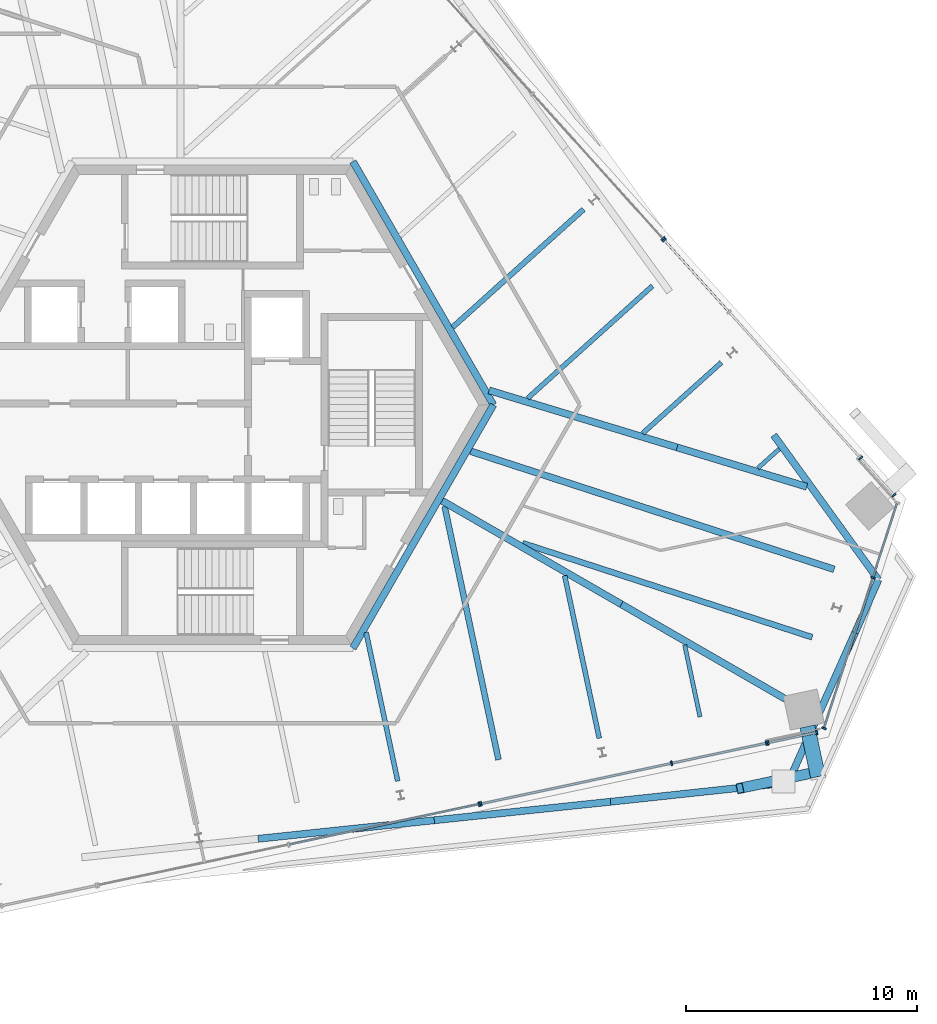
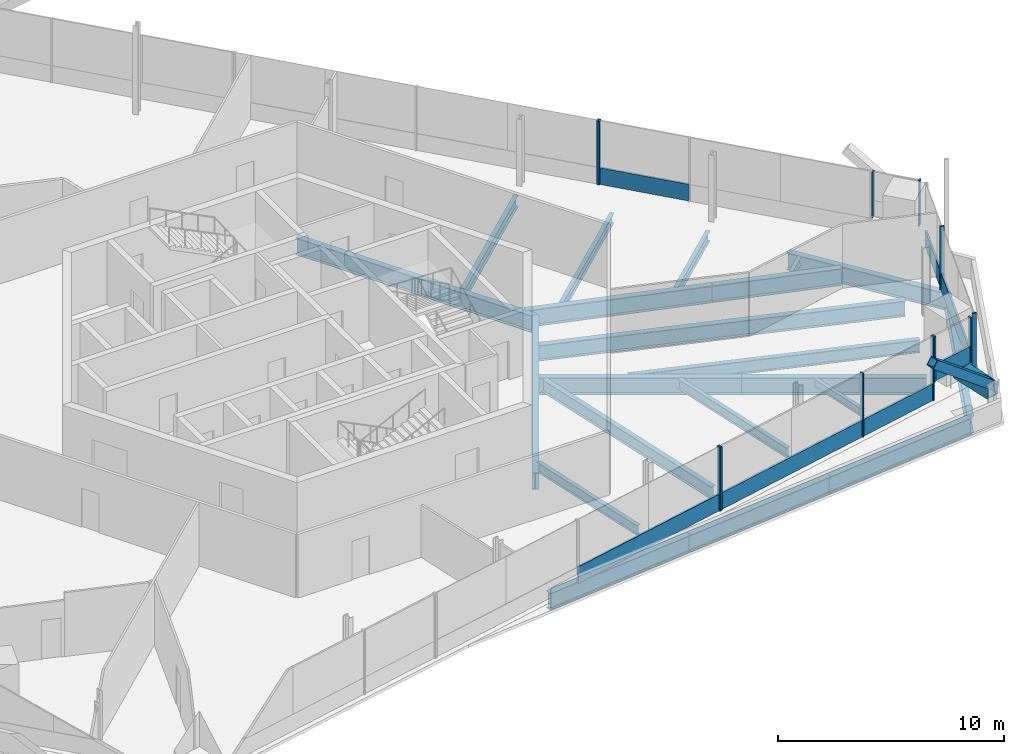
# One storey, part 6 of 20: 22 beams, 21 members, 7 elements without a shape of their own.
"""IFC4 building model written with IfcOpenShell, lengths in metres."""

from ifc_helpers import new_model, si_unit, direction, frame, origin, origin_2d, place, context, subcontext, project, spatial, rectangle, hollow_rectangle, i_section, extrude, source, transform, mapped, material, material_profile, profile_set, type_object, element, aggregate, save


model = new_model("IFC4")

# Units and contexts
model_context = context("Model", 3, precision=1e-05, world=origin(), true_north=direction((0.0, 1.0)))
body_context = subcontext(model_context, "Body", "Model", "MODEL_VIEW")
ifc_project = project(units=[si_unit("LENGTHUNIT", "METRE"), si_unit("AREAUNIT", "SQUARE_METRE"), si_unit("VOLUMEUNIT", "CUBIC_METRE"), si_unit("PLANEANGLEUNIT", "RADIAN"), si_unit("MASSUNIT", "GRAM", prefix="KILO")], contexts=[model_context])

# Site, building, storey
site_placement = place(None, origin())
site = spatial("IfcSite", under=ifc_project, at=site_placement, CompositionType="ELEMENT")
building_placement = place(site_placement, origin())
building = spatial("IfcBuilding", under=site, at=building_placement, Name="Triune Harvest Tower", CompositionType="ELEMENT")
storey_placement = place(building_placement, frame((0.0, 0.0, 259.5)))
storey = spatial("IfcBuildingStorey", under=building, at=storey_placement, Name="L68", CompositionType="ELEMENT", Elevation=259.5)

# Beams
ifc_material_1 = material(Name="Steel ASTM A992 Gr 50", Category="steel")
ifc_material_profile_1 = material_profile(ifc_material_1, i_section(OverallWidth=0.3046875, OverallDepth=0.914306640625, WebThickness=0.0166015625, FlangeThickness=0.02587890625, at=origin_2d()), Name="W36x160")
ifc_profile_set_1 = profile_set([ifc_material_profile_1], Name="Steel ASTM A992 Gr 50")
beam_type_1 = type_object("IfcBeamType", Name="HG-3 Hip girder W36x160", PredefinedType="BEAM", material=ifc_profile_set_1)
beam_1_placement = place(storey_placement, frame((25.75439453125, -3.548095703125, -0.6171875), z_axis=(-0.956937302141, 0.290294677477, 0.0), x_axis=(-0.290294677477, -0.956937302141, 0.0)))
element("IfcBeam", 1, at=beam_1_placement, inside=storey, type_object=beam_type_1, Name="beam/L68/HG1", PredefinedType="BEAM", context=body_context, shape_type="SweptSolid", body=[
    extrude(i_section(OverallWidth=0.3046875, OverallDepth=0.914306640625, WebThickness=0.0166015625, FlangeThickness=0.02587890625, at=origin_2d()), origin(), (0.0, 0.0, 1.0), 5.872802734375),
])
beam_2_placement = place(storey_placement, frame((24.816650390625, -12.738037109375, -0.6171875), z_axis=(-0.866031720291, 0.49998905933, 0.0), x_axis=(-0.49998905933, -0.866031720291, 0.0)))
element("IfcBeam", 2, at=beam_2_placement, inside=storey, type_object=beam_type_1, Name="beam/L68/HG13", PredefinedType="BEAM", context=body_context, shape_type="SweptSolid", body=[
    extrude(i_section(OverallWidth=0.3046875, OverallDepth=0.914306640625, WebThickness=0.0166015625, FlangeThickness=0.02587890625, at=origin_2d()), origin(), (0.0, 0.0, 1.0), 8.191162109375),
])
ifc_material_2 = material(Name="Steel ASTM A992 Gr 50", Category="steel")
ifc_material_profile_2 = material_profile(ifc_material_2, i_section(OverallWidth=0.2099609375, OverallDepth=0.535888671875, WebThickness=0.010986328125, FlangeThickness=0.017333984375, at=origin_2d()), Name="W21x68")
ifc_profile_set_2 = profile_set([ifc_material_profile_2], Name="Steel ASTM A992 Gr 50")
beam_type_2 = type_object("IfcBeamType", Name="JT-2 Floor joist W21x68", PredefinedType="JOIST", material=ifc_profile_set_2)
beam_3_placement = place(storey_placement, frame((19.067626953125, 5.15478515625, -0.427978515625), z_axis=(-0.743132430141, -0.669144372518, 0.0), x_axis=(0.669144372518, -0.743132430141, 0.0)))
element("IfcBeam", 3, at=beam_3_placement, inside=storey, type_object=beam_type_2, Name="beam/L68/JT3", PredefinedType="JOIST", context=body_context, shape_type="SweptSolid", body=[
    extrude(i_section(OverallWidth=0.2099609375, OverallDepth=0.535888671875, WebThickness=0.010986328125, FlangeThickness=0.017333984375, at=origin_2d()), origin(), (0.0, 0.0, 1.0), 7.282470703125),
])
ifc_material_3 = material(Name="Steel ASTM A992 Gr 50", Category="steel")
ifc_material_profile_3 = material_profile(ifc_material_3, i_section(OverallWidth=0.22900390625, OverallDepth=0.612060546875, WebThickness=0.011962890625, FlangeThickness=0.01953125, at=origin_2d()), Name="W24x84")
ifc_profile_set_3 = profile_set([ifc_material_profile_3], Name="Steel ASTM A992 Gr 50")
beam_type_3 = type_object("IfcBeamType", Name="JT-3 Floor joist W24x84", PredefinedType="JOIST", material=ifc_profile_set_3)
beam_4_placement = place(storey_placement, frame((16.080810546875, 8.47216796875, -0.466064453125), z_axis=(-0.743147796111, -0.669127307121, 0.0), x_axis=(0.669127307121, -0.743147796111, 0.0)))
element("IfcBeam", 4, at=beam_4_placement, inside=storey, type_object=beam_type_3, Name="beam/L68/JT4", PredefinedType="JOIST", context=body_context, shape_type="SweptSolid", body=[
    extrude(i_section(OverallWidth=0.22900390625, OverallDepth=0.612060546875, WebThickness=0.011962890625, FlangeThickness=0.01953125, at=origin_2d()), origin(), (0.0, 0.0, 1.0), 7.63232421875),
])
ifc_material_4 = material(Name="Steel ASTM A992 Gr 50", Category="steel")
ifc_material_profile_4 = material_profile(ifc_material_4, i_section(OverallWidth=0.253662109375, OverallDepth=0.683349609375, WebThickness=0.012451171875, FlangeThickness=0.01904296875, at=origin_2d()), Name="W27x94")
ifc_profile_set_4 = profile_set([ifc_material_profile_4], Name="Steel ASTM A992 Gr 50")
beam_type_4 = type_object("IfcBeamType", Name="JT-4 Floor joist W27x94", PredefinedType="JOIST", material=ifc_profile_set_4)
beam_5_placement = place(storey_placement, frame((25.987060546875, -10.06982421875, -0.501708984375), z_axis=(-0.951059355969, 0.309008254621, 0.0), x_axis=(-0.309008254621, -0.951059355969, 0.0)))
element("IfcBeam", 5, at=beam_5_placement, inside=storey, type_object=beam_type_4, Name="beam/L68/JT32", PredefinedType="JOIST", context=body_context, shape_type="SweptSolid", body=[
    extrude(i_section(OverallWidth=0.253662109375, OverallDepth=0.683349609375, WebThickness=0.012451171875, FlangeThickness=0.01904296875, at=origin_2d()), origin(), (0.0, 0.0, 1.0), 13.195068359375),
])
ifc_material_5 = material(Name="Steel ASTM A992 Gr 50", Category="steel")
ifc_material_profile_5 = material_profile(ifc_material_5, i_section(OverallWidth=0.3046875, OverallDepth=0.914306640625, WebThickness=0.0166015625, FlangeThickness=0.02587890625, at=origin_2d()), Name="W36x160")
ifc_profile_set_5 = profile_set([ifc_material_profile_5], Name="Steel ASTM A992 Gr 50")
beam_type_5 = type_object("IfcBeamType", Name="SB-1 Spandrel beam W36x160", PredefinedType="SPANDREL", material=ifc_profile_set_5)
beam_6_placement = place(storey_placement, frame((24.946533203125, -16.373779296875, -0.6171875), z_axis=(0.40781645435, 0.913063929614, 0.0), x_axis=(-0.913063929614, 0.40781645435, 0.0)))
element("IfcBeam", 6, at=beam_6_placement, inside=storey, type_object=beam_type_5, Name="beam/L68/WB20", PredefinedType="SPANDREL", context=body_context, shape_type="SweptSolid", body=[
    extrude(i_section(OverallWidth=0.3046875, OverallDepth=0.914306640625, WebThickness=0.0166015625, FlangeThickness=0.02587890625, at=origin_2d()), origin(), (0.0, 0.0, 1.0), 7.111328125),
])
beam_7_placement = place(storey_placement, frame((27.8466796875, -9.880615234375, -0.6171875), z_axis=(0.403656957241, 0.914910411391, 0.0), x_axis=(-0.914910411391, 0.403656957241, 0.0)))
element("IfcBeam", 7, at=beam_7_placement, inside=storey, type_object=beam_type_5, Name="beam/L68/WB21", PredefinedType="SPANDREL", context=body_context, shape_type="SweptSolid", body=[
    extrude(i_section(OverallWidth=0.3046875, OverallDepth=0.914306640625, WebThickness=0.0166015625, FlangeThickness=0.02587890625, at=origin_2d()), origin(), (0.0, 0.0, 1.0), 2.51171875),
])

# Curtain wall, member
ifc_material_6 = material(Name="Aluminium bronze anodised", Category="aluminium")
curtain_wall_type_1 = type_object("IfcCurtainWallType", Name="CW-7 Tower stick curtain wall with insulated spandrel infill", PredefinedType="NOTDEFINED", material=ifc_material_6)
curtain_wall_1_placement = place(storey_placement, origin())
curtain_wall_1 = element("IfcCurtainWall", 8, at=curtain_wall_1_placement, inside=storey, type_object=curtain_wall_type_1, Name="CW-7 B7-F5 L68 run 201")
ifc_material_7 = material(Name="Aluminium bronze anodised", Category="aluminium")
ifc_material_profile_6 = material_profile(ifc_material_7, rectangle(XDim=0.090087890625, YDim=0.89990234375, at=origin_2d()), Name="TR-1 transom 90 x 900")
ifc_profile_set_6 = profile_set([ifc_material_profile_6], Name="Aluminium bronze anodised")
member_type_1 = type_object("IfcMemberType", Name="TR-1 transom 90 x 900", PredefinedType="USERDEFINED", material=ifc_profile_set_6)
member_1_placement = place(storey_placement, frame((24.11767578125, -14.635498046875, 1.43505859375), z_axis=(0.978132324204, 0.207983548261, 0.0), x_axis=(-0.207983548261, 0.978132324204, 0.0)))
member_1 = element("IfcMember", 9, at=member_1_placement, type_object=member_type_1, Name="CW-7 transom B7-F5 201.1", ObjectType="TRANSOM", PredefinedType="USERDEFINED", context=body_context, shape_type="SweptSolid", body=[
    extrude(rectangle(XDim=0.090087890625, YDim=0.89990234375, at=origin_2d()), origin(), (0.0, 0.0, 1.0), 2.08251953125),
])

# Beams
ifc_material_8 = material(Name="Steel ASTM A992 Gr 50", Category="steel")
ifc_material_profile_7 = material_profile(ifc_material_8, i_section(OverallWidth=0.3046875, OverallDepth=0.914306640625, WebThickness=0.0166015625, FlangeThickness=0.02587890625, at=origin_2d()), Name="W36x160")
ifc_profile_set_7 = profile_set([ifc_material_profile_7], Name="Steel ASTM A992 Gr 50")
beam_type_6 = type_object("IfcBeamType", Name="CG-1 Core ring girder W36x160", PredefinedType="BEAM", material=ifc_profile_set_7)
shared_shape_1 = source(origin(), body_context, "Body", "SweptSolid", [
    extrude(i_section(OverallWidth=0.3046875, OverallDepth=0.914306640625, WebThickness=0.0166015625, FlangeThickness=0.02587890625, at=origin_2d()), origin(), (0.0, 0.0, 1.0), 12.176025390625),
])
for number, where, z_axis, x_axis, name in (
    (10, (12.176025390625, 0.0, -0.6171875), (-0.5000099932, 0.866019634131, 0.0), (-0.866019634131, -0.5000099932, 0.0), "beam/L68/CG1"),
    (11, (6.087890625, -10.544677734375, -0.6171875), (0.5000099932, 0.866019634131, 0.0), (-0.866019634131, 0.5000099932, 0.0), "beam/L68/CG6"),
):
    element("IfcBeam", number, at=place(storey_placement, frame(where, z_axis=z_axis, x_axis=x_axis)), inside=storey, type_object=beam_type_6, Name=name, PredefinedType="BEAM", context=body_context, shape_type="MappedRepresentation", body=[
        mapped(shared_shape_1, transform((0.0, 0.0, 0.0), scale=1.0)),
    ])
shared_shape_2 = source(origin(), body_context, "Body", "SweptSolid", [
    extrude(i_section(OverallWidth=0.3046875, OverallDepth=0.914306640625, WebThickness=0.0166015625, FlangeThickness=0.02587890625, at=origin_2d()), origin(), (0.0, 0.0, 1.0), 7.7392578125),
])
beam_8_placement = place(storey_placement, frame((28.860595703125, -7.58251953125, -0.6171875), z_axis=(-0.586085859252, 0.810248952844, 0.0), x_axis=(-0.810248952844, -0.586085859252, 0.0)))
element("IfcBeam", 12, at=beam_8_placement, inside=storey, type_object=beam_type_5, Name="beam/L68/WB1", PredefinedType="SPANDREL", context=body_context, shape_type="MappedRepresentation", body=[
    mapped(shared_shape_2, transform((0.0, 0.0, 0.0), scale=1.0)),
])
shared_shape_3 = source(origin(), body_context, "Body", "SweptSolid", [
    extrude(i_section(OverallWidth=0.3046875, OverallDepth=0.914306640625, WebThickness=0.0166015625, FlangeThickness=0.02587890625, at=origin_2d()), origin(), (0.0, 0.0, 1.0), 7.679443359375),
])
for number, where, z_axis, x_axis, name in (
    (13, (1.976318359375, -18.80419921875, -0.6171875), (0.994525119774, 0.104497780542, 0.0), (-0.104497780542, 0.994525119774, 0.0), "beam/L68/WB17"),
    (14, (9.61376953125, -18.001708984375, -0.6171875), (0.99451850998, 0.104560668073, 0.0), (-0.104560668073, 0.99451850998, 0.0), "beam/L68/WB18"),
):
    element("IfcBeam", number, at=place(storey_placement, frame(where, z_axis=z_axis, x_axis=x_axis)), inside=storey, type_object=beam_type_5, Name=name, PredefinedType="SPANDREL", context=body_context, shape_type="MappedRepresentation", body=[
        mapped(shared_shape_3, transform((0.0, 0.0, 0.0), scale=1.0)),
    ])
shared_shape_4 = source(origin(), body_context, "Body", "SweptSolid", [
    extrude(i_section(OverallWidth=0.3046875, OverallDepth=0.914306640625, WebThickness=0.0166015625, FlangeThickness=0.02587890625, at=origin_2d()), origin(), (0.0, 0.0, 1.0), 7.739501953125),
])
beam_9_placement = place(storey_placement, frame((17.251220703125, -17.19873046875, -0.6171875), z_axis=(0.994302946631, 0.106591042407, 0.0), x_axis=(-0.106591042407, 0.994302946631, 0.0)))
element("IfcBeam", 15, at=beam_9_placement, inside=storey, type_object=beam_type_5, Name="beam/L68/WB19", PredefinedType="SPANDREL", context=body_context, shape_type="MappedRepresentation", body=[
    mapped(shared_shape_4, transform((0.0, 0.0, 0.0), scale=1.0)),
])
shared_shape_5 = source(origin(), body_context, "Body", "SweptSolid", [
    extrude(i_section(OverallWidth=0.3046875, OverallDepth=0.914306640625, WebThickness=0.0166015625, FlangeThickness=0.02587890625, at=origin_2d()), origin(), (0.0, 0.0, 1.0), 8.51171875),
])
beam_10_placement = place(storey_placement, frame((20.134521484375, -1.84326171875, -0.6171875), z_axis=(-0.956918438295, 0.290356853632, 0.0), x_axis=(-0.290356853632, -0.956918438295, 0.0)))
element("IfcBeam", 16, at=beam_10_placement, inside=storey, type_object=beam_type_1, Name="beam/L68/HG2", PredefinedType="BEAM", context=body_context, shape_type="MappedRepresentation", body=[
    mapped(shared_shape_5, transform((0.0, 0.0, 0.0), scale=1.0)),
])
shared_shape_6 = source(origin(), body_context, "Body", "SweptSolid", [
    extrude(i_section(OverallWidth=0.3046875, OverallDepth=0.914306640625, WebThickness=0.0166015625, FlangeThickness=0.02587890625, at=origin_2d()), origin(), (0.0, 0.0, 1.0), 8.97265625),
])
beam_11_placement = place(storey_placement, frame((17.722900390625, -8.642333984375, -0.6171875), z_axis=(-0.866024277037, 0.500001951578, 0.0), x_axis=(-0.500001951578, -0.866024277037, 0.0)))
element("IfcBeam", 17, at=beam_11_placement, inside=storey, type_object=beam_type_1, Name="beam/L68/HG14", PredefinedType="BEAM", context=body_context, shape_type="MappedRepresentation", body=[
    mapped(shared_shape_6, transform((0.0, 0.0, 0.0), scale=1.0)),
])
ifc_material_9 = material(Name="Steel ASTM A992 Gr 50", Category="steel")
ifc_material_profile_8 = material_profile(ifc_material_9, i_section(OverallWidth=0.180908203125, OverallDepth=0.41650390625, WebThickness=0.010986328125, FlangeThickness=0.01806640625, at=origin_2d()), Name="W16x57")
ifc_profile_set_8 = profile_set([ifc_material_profile_8], Name="Steel ASTM A992 Gr 50")
beam_type_7 = type_object("IfcBeamType", Name="JT-1 Floor joist W16x57", PredefinedType="JOIST", material=ifc_profile_set_8)
shared_shape_7 = source(origin(), body_context, "Body", "SweptSolid", [
    extrude(i_section(OverallWidth=0.180908203125, OverallDepth=0.41650390625, WebThickness=0.010986328125, FlangeThickness=0.01806640625, at=origin_2d()), origin(), (0.0, 0.0, 1.0), 1.253662109375),
])
beam_12_placement = place(storey_placement, frame((24.567138671875, -1.9072265625, -0.368408203125), z_axis=(-0.743139192675, -0.669136862167, 0.0), x_axis=(0.669136862167, -0.743139192675, 0.0)))
element("IfcBeam", 18, at=beam_12_placement, inside=storey, type_object=beam_type_7, Name="beam/L68/JT1", PredefinedType="JOIST", context=body_context, shape_type="MappedRepresentation", body=[
    mapped(shared_shape_7, transform((0.0, 0.0, 0.0), scale=1.0)),
])
shared_shape_8 = source(origin(), body_context, "Body", "SweptSolid", [
    extrude(i_section(OverallWidth=0.2099609375, OverallDepth=0.535888671875, WebThickness=0.010986328125, FlangeThickness=0.017333984375, at=origin_2d()), origin(), (0.0, 0.0, 1.0), 4.58740234375),
])
beam_13_placement = place(storey_placement, frame((22.0546875, 1.83740234375, -0.427978515625), z_axis=(-0.743151231649, -0.669123491516, 0.0), x_axis=(0.669123491516, -0.743151231649, 0.0)))
element("IfcBeam", 19, at=beam_13_placement, inside=storey, type_object=beam_type_2, Name="beam/L68/JT2", PredefinedType="JOIST", context=body_context, shape_type="MappedRepresentation", body=[
    mapped(shared_shape_8, transform((0.0, 0.0, 0.0), scale=1.0)),
])
shared_shape_9 = source(origin(), body_context, "Body", "SweptSolid", [
    extrude(i_section(OverallWidth=0.2099609375, OverallDepth=0.535888671875, WebThickness=0.010986328125, FlangeThickness=0.017333984375, at=origin_2d()), origin(), (0.0, 0.0, 1.0), 6.590576171875),
])
beam_14_placement = place(storey_placement, frame((8.02978515625, -16.30615234375, -0.427978515625), z_axis=(-0.207927426917, 0.97814425579, 0.0), x_axis=(-0.97814425579, -0.207927426917, 0.0)))
element("IfcBeam", 20, at=beam_14_placement, inside=storey, type_object=beam_type_2, Name="beam/L68/JT28", PredefinedType="JOIST", context=body_context, shape_type="MappedRepresentation", body=[
    mapped(shared_shape_9, transform((0.0, 0.0, 0.0), scale=1.0)),
])
shared_shape_10 = source(origin(), body_context, "Body", "SweptSolid", [
    extrude(i_section(OverallWidth=0.253662109375, OverallDepth=0.683349609375, WebThickness=0.012451171875, FlangeThickness=0.01904296875, at=origin_2d()), origin(), (0.0, 0.0, 1.0), 11.22802734375),
])
beam_15_placement = place(storey_placement, frame((12.396240234375, -15.3779296875, -0.501708984375), z_axis=(-0.207914667302, 0.978146968058, 0.0), x_axis=(-0.978146968058, -0.207914667302, 0.0)))
element("IfcBeam", 21, at=beam_15_placement, inside=storey, type_object=beam_type_4, Name="beam/L68/JT29", PredefinedType="JOIST", context=body_context, shape_type="MappedRepresentation", body=[
    mapped(shared_shape_10, transform((0.0, 0.0, 0.0), scale=1.0)),
])
shared_shape_11 = source(origin(), body_context, "Body", "SweptSolid", [
    extrude(i_section(OverallWidth=0.2099609375, OverallDepth=0.535888671875, WebThickness=0.010986328125, FlangeThickness=0.017333984375, at=origin_2d()), origin(), (0.0, 0.0, 1.0), 7.208740234375),
])
beam_16_placement = place(storey_placement, frame((16.7626953125, -14.449951171875, -0.427978515625), z_axis=(-0.207909791539, 0.978148004436, 0.0), x_axis=(-0.978148004436, -0.207909791539, 0.0)))
element("IfcBeam", 22, at=beam_16_placement, inside=storey, type_object=beam_type_2, Name="beam/L68/JT30", PredefinedType="JOIST", context=body_context, shape_type="MappedRepresentation", body=[
    mapped(shared_shape_11, transform((0.0, 0.0, 0.0), scale=1.0)),
])
shared_shape_12 = source(origin(), body_context, "Body", "SweptSolid", [
    extrude(i_section(OverallWidth=0.180908203125, OverallDepth=0.41650390625, WebThickness=0.010986328125, FlangeThickness=0.01806640625, at=origin_2d()), origin(), (0.0, 0.0, 1.0), 3.189208984375),
])
beam_17_placement = place(storey_placement, frame((21.129150390625, -13.521728515625, -0.368408203125), z_axis=(-0.207908193953, 0.978148344009, 0.0), x_axis=(-0.978148344009, -0.207908193953, 0.0)))
element("IfcBeam", 23, at=beam_17_placement, inside=storey, type_object=beam_type_7, Name="beam/L68/JT31", PredefinedType="JOIST", context=body_context, shape_type="MappedRepresentation", body=[
    mapped(shared_shape_12, transform((0.0, 0.0, 0.0), scale=1.0)),
])
ifc_material_10 = material(Name="Steel ASTM A992 Gr 50", Category="steel")
ifc_material_profile_9 = material_profile(ifc_material_10, i_section(OverallWidth=0.2919921875, OverallDepth=0.8408203125, WebThickness=0.0146484375, FlangeThickness=0.021728515625, at=origin_2d()), Name="W33x130")
ifc_profile_set_9 = profile_set([ifc_material_profile_9], Name="Steel ASTM A992 Gr 50")
beam_type_8 = type_object("IfcBeamType", Name="JT-6 Floor joist W33x130", PredefinedType="JOIST", material=ifc_profile_set_9)
shared_shape_13 = source(origin(), body_context, "Body", "SweptSolid", [
    extrude(i_section(OverallWidth=0.2919921875, OverallDepth=0.8408203125, WebThickness=0.0146484375, FlangeThickness=0.021728515625, at=origin_2d()), origin(), (0.0, 0.0, 1.0), 16.56201171875),
])
beam_18_placement = place(storey_placement, frame((26.94287109375, -7.1279296875, -0.580322265625), z_axis=(-0.951057248278, 0.309014741555, 0.0), x_axis=(-0.309014741555, -0.951057248278, 0.0)))
element("IfcBeam", 24, at=beam_18_placement, inside=storey, type_object=beam_type_8, Name="beam/L68/JT33", PredefinedType="JOIST", context=body_context, shape_type="MappedRepresentation", body=[
    mapped(shared_shape_13, transform((0.0, 0.0, 0.0), scale=1.0)),
])

# Members
ifc_material_11 = material(Name="Steel ASTM A572 Gr 50", Category="steel")
ifc_material_profile_10 = material_profile(ifc_material_11, hollow_rectangle(XDim=0.64990234375, YDim=0.64990234375, WallThickness=0.070068359375, at=origin_2d()), Name="Box 650x650x70")
ifc_profile_set_10 = profile_set([ifc_material_profile_10], Name="Steel ASTM A572 Gr 50")
member_type_2 = type_object("IfcMemberType", Name="BS-1 Brace stub Box 650x650x70", PredefinedType="STRUT", material=ifc_profile_set_10)
shared_shape_14 = source(origin(), body_context, "Body", "SweptSolid", [
    extrude(hollow_rectangle(XDim=0.64990234375, YDim=0.64990234375, WallThickness=0.070068359375, at=origin_2d()), origin(), (0.0, 0.0, 1.0), 2.222900390625),
])
member_2_placement = place(storey_placement, frame((25.781494140625, -13.938720703125, 0.60009765625), z_axis=(0.207908670929, -0.978148242626, 0.0), x_axis=(0.978148242626, 0.207908670929, 0.0)))
element("IfcMember", 25, at=member_2_placement, inside=storey, type_object=member_type_2, Name="brace/B7-F5/stub3", PredefinedType="STRUT", context=body_context, shape_type="MappedRepresentation", body=[
    mapped(shared_shape_14, transform((0.0, 0.0, 0.0), scale=1.0)),
])
ifc_material_12 = material(Name="Steel ASTM A572 Gr 50", Category="steel")
ifc_material_profile_11 = material_profile(ifc_material_12, hollow_rectangle(XDim=0.449951171875, YDim=0.449951171875, WallThickness=0.02490234375, at=origin_2d()), Name="Box 450x450x25")
ifc_profile_set_11 = profile_set([ifc_material_profile_11], Name="Steel ASTM A572 Gr 50")
member_type_3 = type_object("IfcMemberType", Name="BR-4 Brace Box 450x450x25", PredefinedType="BRACE", material=ifc_profile_set_11)
shared_shape_15 = source(origin(), body_context, "Body", "SweptSolid", [
    extrude(hollow_rectangle(XDim=0.449951171875, YDim=0.449951171875, WallThickness=0.02490234375, at=origin_2d()), origin(), (0.0, 0.0, 1.0), 4.358154296875),
])
member_3_placement = place(storey_placement, frame((26.199462890625, -15.9052734375, 0.889892578125), z_axis=(-0.766003990971, -0.162847272324, 0.621867069166), x_axis=(0.207946018877, -0.97814030345, 0.0)))
element("IfcMember", 26, at=member_3_placement, inside=storey, type_object=member_type_3, Name="brace/B7-F5/d2/1", PredefinedType="BRACE", context=body_context, shape_type="MappedRepresentation", body=[
    mapped(shared_shape_15, transform((0.0, 0.0, 0.0), scale=1.0)),
])

# Curtain wall, members
curtain_wall_2_placement = place(storey_placement, origin())
curtain_wall_2 = element("IfcCurtainWall", 27, at=curtain_wall_2_placement, inside=storey, type_object=curtain_wall_type_1, Name="CW-7 B7-F1 L68 run 1")
ifc_material_13 = material(Name="Aluminium bronze anodised", Category="aluminium")
ifc_material_profile_12 = material_profile(ifc_material_13, rectangle(XDim=0.199951171875, YDim=0.074951171875, at=origin_2d()), Name="MU-1 mullion 75 x 200")
ifc_profile_set_12 = profile_set([ifc_material_profile_12], Name="Aluminium bronze anodised")
member_type_4 = type_object("IfcMemberType", Name="MU-1 mullion 75 x 200", PredefinedType="MULLION", material=ifc_profile_set_12)
shared_shape_16 = source(origin(), body_context, "Body", "SweptSolid", [
    extrude(rectangle(XDim=0.199951171875, YDim=0.074951171875, at=origin_2d()), origin(), (0.0, 0.0, 1.0), 2.454833984375),
])
member_4_placement = place(storey_placement, frame((29.53271484375, -3.9111328125, 0.985107421875), z_axis=(0.0, 0.0, 1.0), x_axis=(-0.74313821204, -0.669137951252, 0.0)))
member_4 = element("IfcMember", 28, at=member_4_placement, type_object=member_type_4, Name="CW-7 mullion B7-F1 1.1", PredefinedType="MULLION", context=body_context, shape_type="MappedRepresentation", body=[
    mapped(shared_shape_16, transform((0.0, 0.0, 0.0), scale=1.0)),
])
member_5_placement = place(storey_placement, frame((28.089111328125, -2.307861328125, 0.985107421875), z_axis=(0.0, 0.0, 1.0), x_axis=(-0.74313821204, -0.669137951252, 0.0)))
member_5 = element("IfcMember", 29, at=member_5_placement, type_object=member_type_4, Name="CW-7 mullion B7-F1 1.2", PredefinedType="MULLION", context=body_context, shape_type="MappedRepresentation", body=[
    mapped(shared_shape_16, transform((0.0, 0.0, 0.0), scale=1.0)),
])
aggregate(curtain_wall_2, [member_4, member_5])

# Member
member_6_placement = place(storey_placement, frame((24.080810546875, -14.643310546875, 0.985107421875), z_axis=(0.0, 0.0, 1.0), x_axis=(-0.207895186635, 0.978151108661, 0.0)))
member_6 = element("IfcMember", 30, at=member_6_placement, type_object=member_type_4, Name="CW-7 mullion B7-F5 201.1", PredefinedType="MULLION", context=body_context, shape_type="MappedRepresentation", body=[
    mapped(shared_shape_16, transform((0.0, 0.0, 0.0), scale=1.0)),
])

member_7_placement = place(storey_placement, frame((26.191162109375, -14.194580078125, 0.985107421875), z_axis=(0.0, 0.0, 1.0), x_axis=(-0.207895186635, 0.978151108661, 0.0)))
member_7 = element("IfcMember", 31, at=member_7_placement, type_object=member_type_4, Name="CW-7 mullion B7-F5 201.2", PredefinedType="MULLION", context=body_context, shape_type="MappedRepresentation", body=[
    mapped(shared_shape_16, transform((0.0, 0.0, 0.0), scale=1.0)),
])

aggregate(curtain_wall_1, [member_6, member_7, member_1])

# Curtain wall, member
curtain_wall_3_placement = place(storey_placement, origin())
curtain_wall_3 = element("IfcCurtainWall", 32, at=curtain_wall_3_placement, inside=storey, type_object=curtain_wall_type_1, Name="CW-7 B7-F1 L68 run 101")
shared_shape_17 = source(origin(), body_context, "Body", "SweptSolid", [
    extrude(rectangle(XDim=0.199951171875, YDim=0.074951171875, at=origin_2d()), origin(), (0.0, 0.0, 1.0), 3.43994140625),
])
member_8_placement = place(storey_placement, frame((19.576171875, 7.146728515625, 0.0), z_axis=(0.0, 0.0, 1.0), x_axis=(-0.743143654341, -0.669131907035, 0.0)))
member_8 = element("IfcMember", 33, at=member_8_placement, type_object=member_type_4, Name="CW-7 mullion B7-F1 101.4", PredefinedType="MULLION", context=body_context, shape_type="MappedRepresentation", body=[
    mapped(shared_shape_17, transform((0.0, 0.0, 0.0), scale=1.0)),
])

ifc_material_14 = material(Name="Aluminium bronze anodised", Category="aluminium")
curtain_wall_type_2 = type_object("IfcCurtainWallType", Name="CW-1 Tower stick curtain wall", PredefinedType="NOTDEFINED", material=ifc_material_14)
curtain_wall_4_placement = place(storey_placement, origin())
curtain_wall_4 = element("IfcCurtainWall", 34, at=curtain_wall_4_placement, inside=storey, type_object=curtain_wall_type_2, Name="CW-1 B7-F1 L68 run 1101")
member_9_placement = place(storey_placement, frame((19.52587890625, 7.202392578125, 0.0), z_axis=(0.0, 0.0, 1.0), x_axis=(-0.743144631485, -0.669130821809, 0.0)))
member_9 = element("IfcMember", 35, at=member_9_placement, type_object=member_type_4, Name="CW-1 mullion B7-F1 1101.1", PredefinedType="MULLION", context=body_context, shape_type="MappedRepresentation", body=[
    mapped(shared_shape_17, transform((0.0, 0.0, 0.0), scale=1.0)),
])
aggregate(curtain_wall_4, [member_9])

curtain_wall_5_placement = place(storey_placement, origin())
curtain_wall_5 = element("IfcCurtainWall", 36, at=curtain_wall_5_placement, inside=storey, type_object=curtain_wall_type_2, Name="CW-1 B7-F5 L68 run 1101")
member_10_placement = place(storey_placement, frame((11.563232421875, -17.303955078125, 0.0), z_axis=(0.0, 0.0, 1.0), x_axis=(-0.20791036568, 0.9781478824, 0.0)))
member_10 = element("IfcMember", 37, at=member_10_placement, type_object=member_type_4, Name="CW-1 mullion B7-F5 1101.5", PredefinedType="MULLION", context=body_context, shape_type="MappedRepresentation", body=[
    mapped(shared_shape_17, transform((0.0, 0.0, 0.0), scale=1.0)),
])

# Curtain wall, members
curtain_wall_6_placement = place(storey_placement, origin())
curtain_wall_6 = element("IfcCurtainWall", 38, at=curtain_wall_6_placement, inside=storey, type_object=curtain_wall_type_1, Name="CW-7 B7-F5 L68 run 2101")
member_11_placement = place(storey_placement, frame((11.636474609375, -17.288330078125, 0.0), z_axis=(0.0, 0.0, 1.0), x_axis=(-0.20791036568, 0.9781478824, 0.0)))
member_11 = element("IfcMember", 39, at=member_11_placement, type_object=member_type_4, Name="CW-7 mullion B7-F5 2101.1", PredefinedType="MULLION", context=body_context, shape_type="MappedRepresentation", body=[
    mapped(shared_shape_17, transform((0.0, 0.0, 0.0), scale=1.0)),
])
member_12_placement = place(storey_placement, frame((19.89599609375, -15.53271484375, 0.0), z_axis=(0.0, 0.0, 1.0), x_axis=(-0.20791036568, 0.9781478824, 0.0)))
member_12 = element("IfcMember", 40, at=member_12_placement, type_object=member_type_4, Name="CW-7 mullion B7-F5 2101.3", PredefinedType="MULLION", context=body_context, shape_type="MappedRepresentation", body=[
    mapped(shared_shape_17, transform((0.0, 0.0, 0.0), scale=1.0)),
])
member_13_placement = place(storey_placement, frame((24.007568359375, -14.65869140625, 0.0), z_axis=(0.0, 0.0, 1.0), x_axis=(-0.20791036568, 0.9781478824, 0.0)))
member_13 = element("IfcMember", 41, at=member_13_placement, type_object=member_type_4, Name="CW-7 mullion B7-F5 2101.4", PredefinedType="MULLION", context=body_context, shape_type="MappedRepresentation", body=[
    mapped(shared_shape_17, transform((0.0, 0.0, 0.0), scale=1.0)),
])

curtain_wall_7_placement = place(storey_placement, origin())
curtain_wall_7 = element("IfcCurtainWall", 42, at=curtain_wall_7_placement, inside=storey, type_object=curtain_wall_type_2, Name="CW-1 B7-F6 L68 run 1")
member_14_placement = place(storey_placement, frame((26.503662109375, -14.015380859375, 0.0), z_axis=(0.0, 0.0, 1.0), x_axis=(-0.951055902733, 0.309018882717, 0.0)))
member_14 = element("IfcMember", 43, at=member_14_placement, type_object=member_type_4, Name="CW-1 mullion B7-F6 1.1", PredefinedType="MULLION", context=body_context, shape_type="MappedRepresentation", body=[
    mapped(shared_shape_17, transform((0.0, 0.0, 0.0), scale=1.0)),
])
member_15_placement = place(storey_placement, frame((28.625, -7.486328125, 0.0), z_axis=(0.0, 0.0, 1.0), x_axis=(-0.951055902733, 0.309018882717, 0.0)))
member_15 = element("IfcMember", 44, at=member_15_placement, type_object=member_type_4, Name="CW-1 mullion B7-F6 1.3", PredefinedType="MULLION", context=body_context, shape_type="MappedRepresentation", body=[
    mapped(shared_shape_17, transform((0.0, 0.0, 0.0), scale=1.0)),
])

# Member
shared_shape_18 = source(origin(), body_context, "Body", "SweptSolid", [
    extrude(rectangle(XDim=0.090087890625, YDim=0.89990234375, at=origin_2d()), origin(), (0.0, 0.0, 1.0), 8.368896484375),
])
member_16_placement = place(storey_placement, frame((11.67333984375, -17.280517578125, 0.449951171875), z_axis=(0.978147728363, 0.207911090368, 0.0), x_axis=(-0.207911090368, 0.978147728363, 0.0)))
member_16 = element("IfcMember", 45, at=member_16_placement, type_object=member_type_1, Name="CW-7 transom B7-F5 2101.1", ObjectType="TRANSOM", PredefinedType="USERDEFINED", context=body_context, shape_type="MappedRepresentation", body=[
    mapped(shared_shape_18, transform((0.0, 0.0, 0.0), scale=1.0)),
])

shared_shape_19 = source(origin(), body_context, "Body", "SweptSolid", [
    extrude(rectangle(XDim=0.090087890625, YDim=0.89990234375, at=origin_2d()), origin(), (0.0, 0.0, 1.0), 4.12841796875),
])
member_17_placement = place(storey_placement, frame((22.363525390625, 4.051025390625, 0.449951171875), z_axis=(-0.669147680083, 0.743129451872, 0.0), x_axis=(-0.743129451872, -0.669147680083, 0.0)))
member_17 = element("IfcMember", 46, at=member_17_placement, type_object=member_type_1, Name="CW-7 transom B7-F1 101.2", ObjectType="TRANSOM", PredefinedType="USERDEFINED", context=body_context, shape_type="MappedRepresentation", body=[
    mapped(shared_shape_19, transform((0.0, 0.0, 0.0), scale=1.0)),
])

aggregate(curtain_wall_3, [member_8, member_17])

member_18_placement = place(storey_placement, frame((19.932861328125, -15.52490234375, 0.449951171875), z_axis=(0.978143818501, 0.20792948403, 0.0), x_axis=(-0.20792948403, 0.978143818501, 0.0)))
member_18 = element("IfcMember", 47, at=member_18_placement, type_object=member_type_1, Name="CW-7 transom B7-F5 2101.2", ObjectType="TRANSOM", PredefinedType="USERDEFINED", context=body_context, shape_type="MappedRepresentation", body=[
    mapped(shared_shape_19, transform((0.0, 0.0, 0.0), scale=1.0)),
])

aggregate(curtain_wall_6, [member_11, member_12, member_13, member_16, member_18])

shared_shape_20 = source(origin(), body_context, "Body", "SweptSolid", [
    extrude(rectangle(XDim=0.090087890625, YDim=0.89990234375, at=origin_2d()), origin(), (0.0, 0.0, 1.0), 6.7900390625),
])
member_19_placement = place(storey_placement, frame((26.515380859375, -13.979736328125, 0.449951171875), z_axis=(0.309002330593, 0.951061280722, 0.0), x_axis=(-0.951061280722, 0.309002330593, 0.0)))
member_19 = element("IfcMember", 48, at=member_19_placement, type_object=member_type_1, Name="CW-1 transom B7-F6 1.1", ObjectType="TRANSOM", PredefinedType="USERDEFINED", context=body_context, shape_type="MappedRepresentation", body=[
    mapped(shared_shape_20, transform((0.0, 0.0, 0.0), scale=1.0)),
])

shared_shape_21 = source(origin(), body_context, "Body", "SweptSolid", [
    extrude(rectangle(XDim=0.090087890625, YDim=0.89990234375, at=origin_2d()), origin(), (0.0, 0.0, 1.0), 3.338623046875),
])
member_20_placement = place(storey_placement, frame((28.63671875, -7.45068359375, 0.449951171875), z_axis=(0.309023240166, 0.951054486892, 0.0), x_axis=(-0.951054486892, 0.309023240166, 0.0)))
member_20 = element("IfcMember", 49, at=member_20_placement, type_object=member_type_1, Name="CW-1 transom B7-F6 1.2", ObjectType="TRANSOM", PredefinedType="USERDEFINED", context=body_context, shape_type="MappedRepresentation", body=[
    mapped(shared_shape_21, transform((0.0, 0.0, 0.0), scale=1.0)),
])

aggregate(curtain_wall_7, [member_14, member_15, member_19, member_20])

shared_shape_22 = source(origin(), body_context, "Body", "SweptSolid", [
    extrude(rectangle(XDim=0.090087890625, YDim=0.89990234375, at=origin_2d()), origin(), (0.0, 0.0, 1.0), 8.369140625),
])
member_21_placement = place(storey_placement, frame((3.34033203125, -19.0517578125, 0.449951171875), z_axis=(0.978148989341, 0.207905157825, 0.0), x_axis=(-0.207905157825, 0.978148989341, 0.0)))
member_21 = element("IfcMember", 50, at=member_21_placement, type_object=member_type_1, Name="CW-1 transom B7-F5 1101.2", ObjectType="TRANSOM", PredefinedType="USERDEFINED", context=body_context, shape_type="MappedRepresentation", body=[
    mapped(shared_shape_22, transform((0.0, 0.0, 0.0), scale=1.0)),
])

aggregate(curtain_wall_5, [member_10, member_21])

save(model, "model.ifc")
